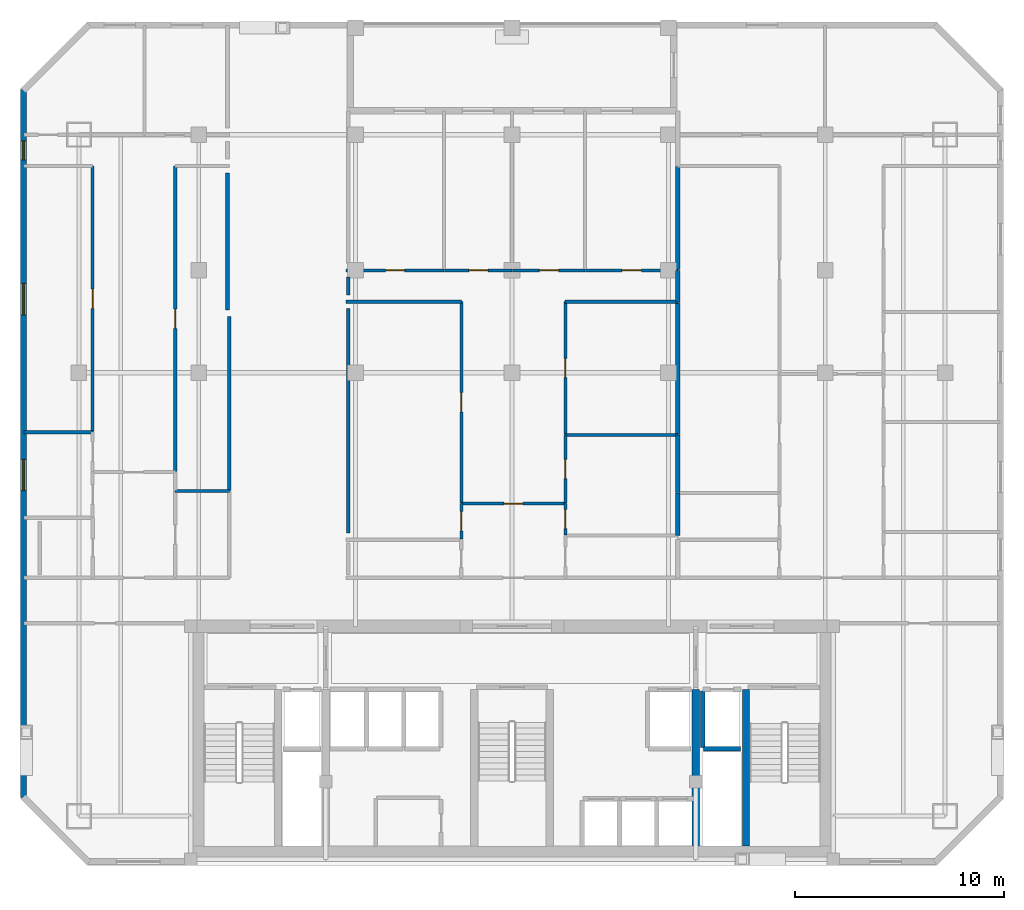
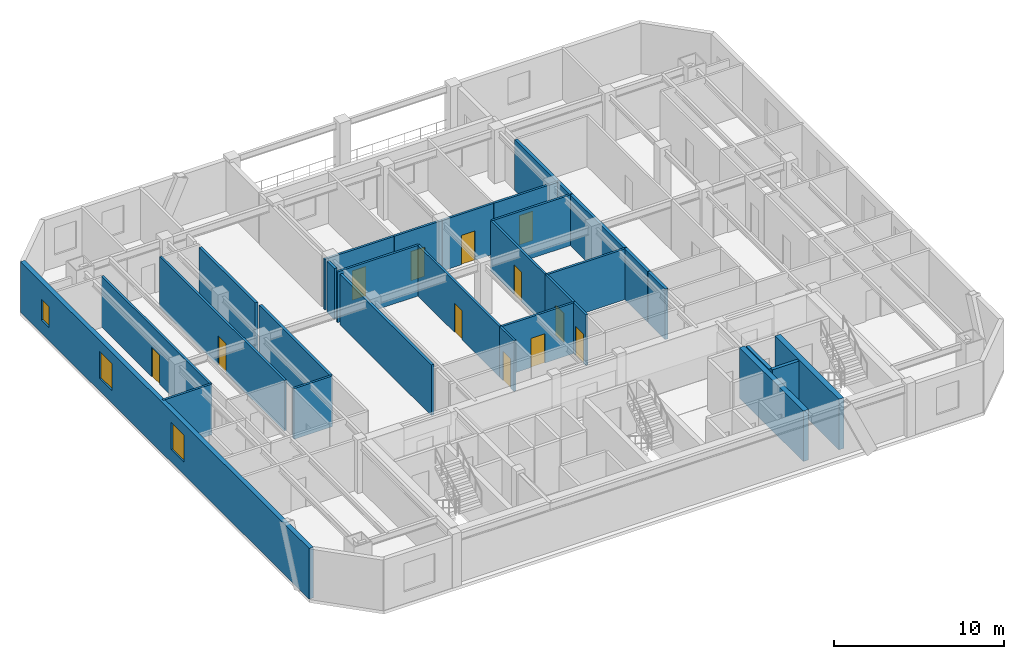
# One storey, part 4 of 8: 31 walls, 12 doors, 3 windows, 15 openings.
"""IFC4 building model written with IfcOpenShell, lengths in metres."""

from ifc_helpers import new_model, si_unit, direction, frame, frame_2d, origin, place, context, subcontext, project, spatial, rectangle, extrude, material, layer, layer_set, type_object, element, fill, save


model = new_model("IFC4")

# Units and contexts
model_context = context("Model", 3, precision=1e-05, world=origin(), true_north=direction((0.0, 1.0)))
body_context = subcontext(model_context, "Body", "Model", "MODEL_VIEW")
ifc_project = project(units=[si_unit("LENGTHUNIT", "METRE"), si_unit("AREAUNIT", "SQUARE_METRE"), si_unit("VOLUMEUNIT", "CUBIC_METRE"), si_unit("PLANEANGLEUNIT", "RADIAN"), si_unit("MASSUNIT", "GRAM", prefix="KILO")], contexts=[model_context])

# Site, building, storey
site_placement = place(None, origin())
site = spatial("IfcSite", under=ifc_project, at=site_placement, CompositionType="ELEMENT")
building_placement = place(site_placement, origin())
building = spatial("IfcBuilding", under=site, at=building_placement, Name="Ventersveld Concourse Tower", CompositionType="ELEMENT")
storey_placement = place(building_placement, frame((0.0, 0.0, 192.60009765625)))
storey = spatial("IfcBuildingStorey", under=building, at=storey_placement, Name="L47", CompositionType="ELEMENT", Elevation=192.60009765625)

# Walls
ifc_material_1 = material(Name="Concrete C50/60", Category="concrete")
ifc_layer_1 = layer(ifc_material_1, 0.35009765625)
ifc_layer_set_1 = layer_set([ifc_layer_1], Name="Concrete C50/60")
wall_type_1 = type_object("IfcWallType", Name="WL-CORE-350U", PredefinedType="SHEAR", material=ifc_layer_set_1)
for number, where, z_axis, x_axis, name in (
    (1, (37.550048828125, 0.919921875, 0.0), (0.0, 0.0, 1.0), (0.0, 1.0, 0.0), "L47 Core Internal Shear Web W-SVL-W"),
    (2, (39.9599609375, 0.919921875, 0.0), (0.0, 0.0, 1.0), (0.0, 1.0, 0.0), "L47 Core Internal Shear Web W-ST2-W"),
):
    element("IfcWall", number, at=place(storey_placement, frame(where, z_axis=z_axis, x_axis=x_axis)), inside=storey, type_object=wall_type_1, Name=name, PredefinedType="SHEAR", context=body_context, shape_type="SweptSolid", body=[
        extrude(rectangle(XDim=7.5, YDim=0.35009765625, at=frame_2d((3.75, 0.0))), origin(), (0.0, 0.0, 1.0), 3.6298828125),
    ])
ifc_material_2 = material(Name="Fire-rated autoclaved aerated masonry blockwork", Category="masonry")
ifc_layer_2 = layer(ifc_material_2, 0.179931640625)
ifc_layer_set_2 = layer_set([ifc_layer_2], Name="Fire-rated autoclaved aerated masonry blockwork")
wall_type_2 = type_object("IfcWallType", Name="WL-CORR-180", PredefinedType="PARTITIONING", material=ifc_layer_set_2)
wall_1_placement = place(storey_placement, frame((15.2099609375, 17.96630859375, 0.0), z_axis=(0.0, 0.0, 1.0), x_axis=(0.0, 1.0, 0.0)))
element("IfcWall", 3, at=wall_1_placement, inside=storey, type_object=wall_type_2, Name="L47 Interior Partition SP-L47-COR-SP-L47-47NW-MEDR1", PredefinedType="PARTITIONING", context=body_context, shape_type="SweptSolid", body=[
    extrude(rectangle(XDim=8.32861328125, YDim=0.179931640625, at=frame_2d((4.164306640625, 0.0))), origin(), (0.0, 0.0, 1.0), 3.6298828125),
])
wall_2_placement = place(storey_placement, frame((15.1201171875, 33.175048828125, 0.0), z_axis=(0.0, 0.0, 1.0), x_axis=(0.0, -1.0, 0.0)))
element("IfcWall", 4, at=wall_2_placement, inside=storey, type_object=wall_type_2, Name="L47 Room Enclosure Wall SP-L47-47NW-MEDR1", PredefinedType="PARTITIONING", context=body_context, shape_type="SweptSolid", body=[
    extrude(rectangle(XDim=6.565185546875, YDim=0.179931640625, at=frame_2d((3.28271484375, 0.0))), origin(), (0.0, 0.0, 1.0), 3.6298828125),
])
wall_3_placement = place(storey_placement, frame((20.89990234375, 27.324951171875, 0.0), z_axis=(0.0, 0.0, 1.0), x_axis=(0.0, 1.0, 0.0)))
element("IfcWall", 5, at=wall_3_placement, inside=storey, type_object=wall_type_2, Name="L47 Room Enclosure Wall SP-L47-47CM-LIV", PredefinedType="PARTITIONING", context=body_context, shape_type="SweptSolid", body=[
    extrude(rectangle(XDim=0.85009765625, YDim=0.179931640625, at=frame_2d((0.425048828125, 0.0))), origin(), (0.0, 0.0, 1.0), 3.6298828125),
])
wall_4_placement = place(storey_placement, frame((20.89990234375, 15.925048828125, 0.0), z_axis=(0.0, 0.0, 1.0), x_axis=(0.0, 1.0, 0.0)))
element("IfcWall", 6, at=wall_4_placement, inside=storey, type_object=wall_type_2, Name="L47 Room Enclosure Wall SP-L47-47CM-MEDL0", PredefinedType="PARTITIONING", context=body_context, shape_type="SweptSolid", body=[
    extrude(rectangle(XDim=10.75, YDim=0.179931640625, at=frame_2d((5.375, 0.0))), origin(), (0.0, 0.0, 1.0), 3.6298828125),
])
ifc_layer_3 = layer(ifc_material_2, 0.199951171875)
ifc_layer_set_3 = layer_set([ifc_layer_3], Name="Fire-rated autoclaved aerated masonry blockwork")
wall_type_3 = type_object("IfcWallType", Name="WL-DEMISE-200", PredefinedType="PARTITIONING", material=ifc_layer_set_3)
wall_5_placement = place(storey_placement, frame((36.68994140625, 15.78955078125, 0.0), z_axis=(0.0, 0.0, 1.0), x_axis=(0.0, 1.0, 0.0)))
element("IfcWall", 7, at=wall_5_placement, inside=storey, type_object=wall_type_3, Name="L47 Interior Partition SP-L47-47CE-PANL0-SP-L47-47CM-DENR", PredefinedType="PARTITIONING", context=body_context, shape_type="SweptSolid", body=[
    extrude(rectangle(XDim=2.04248046875, YDim=0.199951171875, at=frame_2d((1.021240234375, 0.0))), origin(), (0.0, 0.0, 1.0), 3.6298828125),
])
wall_6_placement = place(storey_placement, frame((36.68994140625, 26.9951171875, 0.0), z_axis=(0.0, 0.0, 1.0), x_axis=(0.0, 1.0, 0.0)))
element("IfcWall", 8, at=wall_6_placement, inside=storey, type_object=wall_type_3, Name="L47 Interior Partition SP-L47-47CE-DENL-SP-L47-47CM-LIV", PredefinedType="PARTITIONING", context=body_context, shape_type="SweptSolid", body=[
    extrude(rectangle(XDim=1.509765625, YDim=0.199951171875, at=frame_2d((0.7548828125, 0.0))), origin(), (0.0, 0.0, 1.0), 3.6298828125),
])
wall_7_placement = place(storey_placement, frame((36.68994140625, 17.862060546875, 0.0), z_axis=(0.0, 0.0, 1.0), x_axis=(0.0, 1.0, 0.0)))
element("IfcWall", 9, at=wall_7_placement, inside=storey, type_object=wall_type_3, Name="L47 Interior Partition SP-L47-47CE-DENL-SP-L47-47CM-DENR", PredefinedType="PARTITIONING", context=body_context, shape_type="SweptSolid", body=[
    extrude(rectangle(XDim=2.749755859375, YDim=0.199951171875, at=frame_2d((1.375, 0.0))), origin(), (0.0, 0.0, 1.0), 3.6298828125),
])
wall_8_placement = place(storey_placement, frame((36.68994140625, 20.641845703125, 0.0), z_axis=(0.0, 0.0, 1.0), x_axis=(0.0, 1.0, 0.0)))
element("IfcWall", 10, at=wall_8_placement, inside=storey, type_object=wall_type_3, Name="L47 Interior Partition SP-L47-47CE-DENL-SP-L47-47CM-DENS", PredefinedType="PARTITIONING", context=body_context, shape_type="SweptSolid", body=[
    extrude(rectangle(XDim=6.3232421875, YDim=0.199951171875, at=frame_2d((3.16162109375, 0.0))), origin(), (0.0, 0.0, 1.0), 3.6298828125),
])
wall_9_placement = place(storey_placement, frame((36.68994140625, 28.534912109375, 0.0), z_axis=(0.0, 0.0, 1.0), x_axis=(0.0, 1.0, 0.0)))
element("IfcWall", 11, at=wall_9_placement, inside=storey, type_object=wall_type_3, Name="L47 Interior Partition SP-L47-47CE-DENL-SP-L47-47CM-BR4", PredefinedType="PARTITIONING", context=body_context, shape_type="SweptSolid", body=[
    extrude(rectangle(XDim=4.93017578125, YDim=0.199951171875, at=frame_2d((2.465087890625, 0.0))), origin(), (0.0, 0.0, 1.0), 3.6298828125),
])
ifc_layer_4 = layer(ifc_material_2, 0.219970703125)
ifc_layer_set_4 = layer_set([ifc_layer_4], Name="Fire-rated autoclaved aerated masonry blockwork")
wall_type_4 = type_object("IfcWallType", Name="WL-HOIST-220", PredefinedType="SOLIDWALL", material=ifc_layer_set_4)
wall_10_placement = place(storey_placement, frame((37.919921875, 5.590087890625, 0.0), z_axis=(0.0, 0.0, 1.0), x_axis=(1.0, 0.0, 0.0)))
element("IfcWall", 12, at=wall_10_placement, inside=storey, type_object=wall_type_4, Name="L47 Lift Hoistway Back Wall FFL-02", PredefinedType="SOLIDWALL", context=body_context, shape_type="SweptSolid", body=[
    extrude(rectangle(XDim=1.780029296875, YDim=0.219970703125, at=frame_2d((0.89013671875, 0.0))), origin(), (0.0, 0.0, 1.0), 3.6298828125),
])
wall_11_placement = place(storey_placement, frame((37.8798828125, 5.64990234375, 0.0), z_axis=(0.0, 0.0, 1.0), x_axis=(0.0, 1.0, 0.0)))
element("IfcWall", 13, at=wall_11_placement, inside=storey, type_object=wall_type_4, Name="L47 Lift Hoistway Side Wall FFL-02W", PredefinedType="SOLIDWALL", context=body_context, shape_type="SweptSolid", body=[
    extrude(rectangle(XDim=2.7001953125, YDim=0.219970703125, at=frame_2d((1.35009765625, 0.0))), origin(), (0.0, 0.0, 1.0), 3.6298828125),
])

# Wall, opening, door
ifc_material_3 = material(Name="Autoclaved aerated masonry blockwork", Category="masonry")
ifc_layer_5 = layer(ifc_material_3, 0.14990234375)
ifc_layer_set_5 = layer_set([ifc_layer_5], Name="Autoclaved aerated masonry blockwork")
wall_type_5 = type_object("IfcWallType", Name="WL-INT-150", PredefinedType="PARTITIONING", material=ifc_layer_set_5)
wall_12_placement = place(storey_placement, frame((8.65869140625, 20.78076171875, 0.0), z_axis=(0.0, 0.0, 1.0), x_axis=(0.0, 1.0, 0.0)))
wall_12 = element("IfcWall", 14, at=wall_12_placement, inside=storey, type_object=wall_type_5, Name="L47 Interior Partition SP-L47-47NW-LIV-SP-L47-47NW-DENL", PredefinedType="PARTITIONING", context=body_context, shape_type="SweptSolid", body=[
    extrude(rectangle(XDim=12.72412109375, YDim=0.14990234375, at=frame_2d((6.362060546875, 0.0))), origin(), (0.0, 0.0, 1.0), 3.6298828125),
])
opening_1_placement = place(wall_12_placement, frame((5.902099609375, 0.0, 0.0)))
opening_1 = element("IfcOpeningElement", 15, at=opening_1_placement, cuts=wall_12, Name="Opening ID1", PredefinedType="OPENING", context=body_context, shape_type="SweptSolid", body=[
    extrude(rectangle(XDim=0.919921875, YDim=2.10009765625, at=frame_2d((0.4599609375, 1.050048828125))), frame((0.0, 0.0849609375, 0.0), z_axis=(0.0, -1.0, 0.0), x_axis=(1.0, 0.0, 0.0)), (0.0, 0.0, 1.0), 0.169921875),
])
ifc_material_4 = material(Name="Solid-core hardwood veneer timber", Category="wood")
door_type = type_object("IfcDoorType", Name="DR-ROOM-092", OperationType="NOTDEFINED", PredefinedType="DOOR", material=ifc_material_4)
door_1_placement = place(opening_1_placement, origin())
door_1 = element("IfcDoor", 16, at=door_1_placement, inside=storey, type_object=door_type, Name="L47 Interior Door SP-L47-47NW-LIV to SP-L47-47NW-DENL (D-L47-2306)", OperationType="SINGLE_SWING_RIGHT", OverallHeight=2.10009765625, OverallWidth=0.919921875, PredefinedType="DOOR", context=body_context, shape_type="SweptSolid", body=[
    extrude(rectangle(XDim=0.919921875, YDim=2.10009765625, at=frame_2d((0.4599609375, 1.050048828125))), frame((0.0, 0.02490234375, 0.0), z_axis=(0.0, -1.0, 0.0), x_axis=(1.0, 0.0, 0.0)), (0.0, 0.0, 1.0), 0.050048828125),
])
fill(opening_1, door_1)

wall_13_placement = place(storey_placement, frame((12.61865234375, 18.868408203125, 0.0), z_axis=(0.0, 0.0, 1.0), x_axis=(0.0, 1.0, 0.0)))
wall_13 = element("IfcWall", 17, at=wall_13_placement, inside=storey, type_object=wall_type_5, Name="L47 Interior Partition SP-L47-47NW-LIV-SP-L47-47NW-MEDR1", PredefinedType="PARTITIONING", context=body_context, shape_type="SweptSolid", body=[
    extrude(rectangle(XDim=14.636474609375, YDim=0.14990234375, at=frame_2d((7.318359375, 0.0))), origin(), (0.0, 0.0, 1.0), 3.6298828125),
])
opening_2_placement = place(wall_13_placement, frame((6.8583984375, 0.0, 0.0)))
opening_2 = element("IfcOpeningElement", 18, at=opening_2_placement, cuts=wall_13, Name="Opening ID1", PredefinedType="OPENING", context=body_context, shape_type="SweptSolid", body=[
    extrude(rectangle(XDim=0.919921875, YDim=2.10009765625, at=frame_2d((0.4599609375, 1.050048828125))), frame((0.0, 0.0849609375, 0.0), z_axis=(0.0, -1.0, 0.0), x_axis=(1.0, 0.0, 0.0)), (0.0, 0.0, 1.0), 0.169921875),
])
door_2_placement = place(opening_2_placement, origin())
door_2 = element("IfcDoor", 19, at=door_2_placement, inside=storey, type_object=door_type, Name="L47 Interior Door SP-L47-47NW-LIV to SP-L47-47NW-MEDR1 (D-L47-2307)", OperationType="SINGLE_SWING_LEFT", OverallHeight=2.10009765625, OverallWidth=0.919921875, PredefinedType="DOOR", context=body_context, shape_type="SweptSolid", body=[
    extrude(rectangle(XDim=0.919921875, YDim=2.10009765625, at=frame_2d((0.4599609375, 1.050048828125))), frame((0.0, 0.02490234375, 0.0), z_axis=(0.0, -1.0, 0.0), x_axis=(1.0, 0.0, 0.0)), (0.0, 0.0, 1.0), 0.050048828125),
])
fill(opening_2, door_2)

# Walls
wall_14_placement = place(storey_placement, frame((5.37255859375, 20.74560546875, 0.0), z_axis=(0.0, 0.0, 1.0), x_axis=(1.0, 0.0, 0.0)))
element("IfcWall", 20, at=wall_14_placement, inside=storey, type_object=wall_type_5, Name="L47 Interior Partition SP-L47-47NW-PANL0-SP-L47-47NW-DENL", PredefinedType="PARTITIONING", context=body_context, shape_type="SweptSolid", body=[
    extrude(rectangle(XDim=3.291259765625, YDim=0.14990234375, at=frame_2d((1.6455078125, 0.0))), origin(), (0.0, 0.0, 1.0), 3.6298828125),
])
wall_15_placement = place(storey_placement, frame((12.61376953125, 17.931396484375, 0.0), z_axis=(0.0, 0.0, 1.0), x_axis=(1.0, 0.0, 0.0)))
element("IfcWall", 21, at=wall_15_placement, inside=storey, type_object=wall_type_5, Name="L47 Interior Partition SP-L47-47NW-KIT-SP-L47-47NW-MEDR1", PredefinedType="PARTITIONING", context=body_context, shape_type="SweptSolid", body=[
    extrude(rectangle(XDim=2.601318359375, YDim=0.14990234375, at=frame_2d((1.30078125, 0.0))), origin(), (0.0, 0.0, 1.0), 3.6298828125),
])

# Wall, opening, door
wall_16_placement = place(storey_placement, frame((26.3203125, 17.330810546875, 0.0), z_axis=(0.0, 0.0, 1.0), x_axis=(1.0, 0.0, 0.0)))
wall_16 = element("IfcWall", 22, at=wall_16_placement, inside=storey, type_object=wall_type_5, Name="L47 Interior Partition SP-L47-47CM-FOY-SP-L47-47CM-LIV", PredefinedType="PARTITIONING", context=body_context, shape_type="SweptSolid", body=[
    extrude(rectangle(XDim=4.989990234375, YDim=0.14990234375, at=frame_2d((2.4951171875, 0.0))), origin(), (0.0, 0.0, 1.0), 3.6298828125),
])
opening_3_placement = place(wall_16_placement, frame((2.034912109375, 0.0, 0.0)))
opening_3 = element("IfcOpeningElement", 23, at=opening_3_placement, cuts=wall_16, Name="Opening ID1", PredefinedType="OPENING", context=body_context, shape_type="SweptSolid", body=[
    extrude(rectangle(XDim=0.919921875, YDim=2.10009765625, at=frame_2d((0.4599609375, 1.050048828125))), frame((0.0, 0.0849609375, 0.0), z_axis=(0.0, -1.0, 0.0), x_axis=(1.0, 0.0, 0.0)), (0.0, 0.0, 1.0), 0.169921875),
])
door_3_placement = place(opening_3_placement, origin())
door_3 = element("IfcDoor", 24, at=door_3_placement, inside=storey, type_object=door_type, Name="L47 Interior Door SP-L47-47CM-FOY to SP-L47-47CM-LIV (D-L47-2322)", OperationType="SINGLE_SWING_RIGHT", OverallHeight=2.10009765625, OverallWidth=0.919921875, PredefinedType="DOOR", context=body_context, shape_type="SweptSolid", body=[
    extrude(rectangle(XDim=0.919921875, YDim=2.10009765625, at=frame_2d((0.4599609375, 1.050048828125))), frame((0.0, 0.02490234375, 0.0), z_axis=(0.0, -1.0, 0.0), x_axis=(1.0, 0.0, 0.0)), (0.0, 0.0, 1.0), 0.050048828125),
])
fill(opening_3, door_3)

wall_17_placement = place(storey_placement, frame((26.3251953125, 15.635009765625, 0.0), z_axis=(0.0, 0.0, 1.0), x_axis=(0.0, 1.0, 0.0)))
wall_17 = element("IfcWall", 25, at=wall_17_placement, inside=storey, type_object=wall_type_5, Name="L47 Interior Partition SP-L47-47CM-FOY-SP-L47-47CM-MEDL0", PredefinedType="PARTITIONING", context=body_context, shape_type="SweptSolid", body=[
    extrude(rectangle(XDim=1.70068359375, YDim=0.14990234375, at=frame_2d((0.850341796875, 0.0))), origin(), (0.0, 0.0, 1.0), 3.6298828125),
])
opening_4_placement = place(wall_17_placement, frame((0.390380859375, 0.0, 0.0)))
opening_4 = element("IfcOpeningElement", 26, at=opening_4_placement, cuts=wall_17, Name="Opening ID1", PredefinedType="OPENING", context=body_context, shape_type="SweptSolid", body=[
    extrude(rectangle(XDim=0.919921875, YDim=2.10009765625, at=frame_2d((0.4599609375, 1.050048828125))), frame((0.0, 0.0849609375, 0.0), z_axis=(0.0, -1.0, 0.0), x_axis=(1.0, 0.0, 0.0)), (0.0, 0.0, 1.0), 0.169921875),
])
door_4_placement = place(opening_4_placement, origin())
door_4 = element("IfcDoor", 27, at=door_4_placement, inside=storey, type_object=door_type, Name="L47 Interior Door SP-L47-47CM-FOY to SP-L47-47CM-MEDL0 (D-L47-2324)", OperationType="SINGLE_SWING_RIGHT", OverallHeight=2.10009765625, OverallWidth=0.919921875, PredefinedType="DOOR", context=body_context, shape_type="SweptSolid", body=[
    extrude(rectangle(XDim=0.919921875, YDim=2.10009765625, at=frame_2d((0.4599609375, 1.050048828125))), frame((0.0, 0.02490234375, 0.0), z_axis=(0.0, -1.0, 0.0), x_axis=(1.0, 0.0, 0.0)), (0.0, 0.0, 1.0), 0.050048828125),
])
fill(opening_4, door_4)

wall_18_placement = place(storey_placement, frame((31.305419921875, 15.82958984375, 0.0), z_axis=(0.0, 0.0, 1.0), x_axis=(0.0, 1.0, 0.0)))
wall_18 = element("IfcWall", 28, at=wall_18_placement, inside=storey, type_object=wall_type_5, Name="L47 Interior Partition SP-L47-47CM-FOY-SP-L47-47CM-DENR", PredefinedType="PARTITIONING", context=body_context, shape_type="SweptSolid", body=[
    extrude(rectangle(XDim=1.506103515625, YDim=0.14990234375, at=frame_2d((0.7529296875, 0.0))), origin(), (0.0, 0.0, 1.0), 3.6298828125),
])
opening_5_placement = place(wall_18_placement, frame((0.293212890625, 0.0, 0.0)))
opening_5 = element("IfcOpeningElement", 29, at=opening_5_placement, cuts=wall_18, Name="Opening ID1", PredefinedType="OPENING", context=body_context, shape_type="SweptSolid", body=[
    extrude(rectangle(XDim=0.919921875, YDim=2.10009765625, at=frame_2d((0.4599609375, 1.050048828125))), frame((0.0, 0.0849609375, 0.0), z_axis=(0.0, -1.0, 0.0), x_axis=(1.0, 0.0, 0.0)), (0.0, 0.0, 1.0), 0.169921875),
])
door_5_placement = place(opening_5_placement, origin())
door_5 = element("IfcDoor", 30, at=door_5_placement, inside=storey, type_object=door_type, Name="L47 Interior Door SP-L47-47CM-FOY to SP-L47-47CM-DENR (D-L47-2326)", OperationType="SINGLE_SWING_RIGHT", OverallHeight=2.10009765625, OverallWidth=0.919921875, PredefinedType="DOOR", context=body_context, shape_type="SweptSolid", body=[
    extrude(rectangle(XDim=0.919921875, YDim=2.10009765625, at=frame_2d((0.4599609375, 1.050048828125))), frame((0.0, 0.02490234375, 0.0), z_axis=(0.0, -1.0, 0.0), x_axis=(1.0, 0.0, 0.0)), (0.0, 0.0, 1.0), 0.050048828125),
])
fill(opening_5, door_5)

wall_19_placement = place(storey_placement, frame((26.3251953125, 17.36572265625, 0.0), z_axis=(0.0, 0.0, 1.0), x_axis=(0.0, 1.0, 0.0)))
wall_19 = element("IfcWall", 31, at=wall_19_placement, inside=storey, type_object=wall_type_5, Name="L47 Interior Partition SP-L47-47CM-LIV-SP-L47-47CM-MEDL0", PredefinedType="PARTITIONING", context=body_context, shape_type="SweptSolid", body=[
    extrude(rectangle(XDim=9.63916015625, YDim=0.14990234375, at=frame_2d((4.819580078125, 0.0))), origin(), (0.0, 0.0, 1.0), 3.6298828125),
])
opening_6_placement = place(wall_19_placement, frame((4.359619140625, 0.0, 0.0)))
opening_6 = element("IfcOpeningElement", 32, at=opening_6_placement, cuts=wall_19, Name="Opening ID1", PredefinedType="OPENING", context=body_context, shape_type="SweptSolid", body=[
    extrude(rectangle(XDim=0.919921875, YDim=2.10009765625, at=frame_2d((0.4599609375, 1.050048828125))), frame((0.0, 0.0849609375, 0.0), z_axis=(0.0, -1.0, 0.0), x_axis=(1.0, 0.0, 0.0)), (0.0, 0.0, 1.0), 0.169921875),
])
door_6_placement = place(opening_6_placement, origin())
door_6 = element("IfcDoor", 33, at=door_6_placement, inside=storey, type_object=door_type, Name="L47 Interior Door SP-L47-47CM-LIV to SP-L47-47CM-MEDL0 (D-L47-2327)", OperationType="SINGLE_SWING_LEFT", OverallHeight=2.10009765625, OverallWidth=0.919921875, PredefinedType="DOOR", context=body_context, shape_type="SweptSolid", body=[
    extrude(rectangle(XDim=0.919921875, YDim=2.10009765625, at=frame_2d((0.4599609375, 1.050048828125))), frame((0.0, 0.02490234375, 0.0), z_axis=(0.0, -1.0, 0.0), x_axis=(1.0, 0.0, 0.0)), (0.0, 0.0, 1.0), 0.050048828125),
])
fill(opening_6, door_6)

# Wall
wall_20_placement = place(storey_placement, frame((20.804931640625, 27.0, 0.0), z_axis=(0.0, 0.0, 1.0), x_axis=(1.0, 0.0, 0.0)))
element("IfcWall", 34, at=wall_20_placement, inside=storey, type_object=wall_type_5, Name="L47 Interior Partition SP-L47-47CM-LIV-SP-L47-47CM-MEDL0", PredefinedType="PARTITIONING", context=body_context, shape_type="SweptSolid", body=[
    extrude(rectangle(XDim=5.525390625, YDim=0.14990234375, at=frame_2d((2.7626953125, 0.0))), origin(), (0.0, 0.0, 1.0), 3.6298828125),
])

# Wall, opening, door
wall_21_placement = place(storey_placement, frame((31.305419921875, 17.36572265625, 0.0), z_axis=(0.0, 0.0, 1.0), x_axis=(0.0, 1.0, 0.0)))
wall_21 = element("IfcWall", 35, at=wall_21_placement, inside=storey, type_object=wall_type_5, Name="L47 Interior Partition SP-L47-47CM-LIV-SP-L47-47CM-DENR", PredefinedType="PARTITIONING", context=body_context, shape_type="SweptSolid", body=[
    extrude(rectangle(XDim=3.24609375, YDim=0.14990234375, at=frame_2d((1.623046875, 0.0))), origin(), (0.0, 0.0, 1.0), 3.6298828125),
])
opening_7_placement = place(wall_21_placement, frame((1.1630859375, 0.0, 0.0)))
opening_7 = element("IfcOpeningElement", 36, at=opening_7_placement, cuts=wall_21, Name="Opening ID1", PredefinedType="OPENING", context=body_context, shape_type="SweptSolid", body=[
    extrude(rectangle(XDim=0.919921875, YDim=2.10009765625, at=frame_2d((0.4599609375, 1.050048828125))), frame((0.0, 0.0849609375, 0.0), z_axis=(0.0, -1.0, 0.0), x_axis=(1.0, 0.0, 0.0)), (0.0, 0.0, 1.0), 0.169921875),
])
door_7_placement = place(opening_7_placement, origin())
door_7 = element("IfcDoor", 37, at=door_7_placement, inside=storey, type_object=door_type, Name="L47 Interior Door SP-L47-47CM-LIV to SP-L47-47CM-DENR (D-L47-2328)", OperationType="SINGLE_SWING_RIGHT", OverallHeight=2.10009765625, OverallWidth=0.919921875, PredefinedType="DOOR", context=body_context, shape_type="SweptSolid", body=[
    extrude(rectangle(XDim=0.919921875, YDim=2.10009765625, at=frame_2d((0.4599609375, 1.050048828125))), frame((0.0, 0.02490234375, 0.0), z_axis=(0.0, -1.0, 0.0), x_axis=(1.0, 0.0, 0.0)), (0.0, 0.0, 1.0), 0.050048828125),
])
fill(opening_7, door_7)

wall_22_placement = place(storey_placement, frame((31.305419921875, 20.641845703125, 0.0), z_axis=(0.0, 0.0, 1.0), x_axis=(0.0, 1.0, 0.0)))
wall_22 = element("IfcWall", 38, at=wall_22_placement, inside=storey, type_object=wall_type_5, Name="L47 Interior Partition SP-L47-47CM-LIV-SP-L47-47CM-DENS", PredefinedType="PARTITIONING", context=body_context, shape_type="SweptSolid", body=[
    extrude(rectangle(XDim=6.363037109375, YDim=0.14990234375, at=frame_2d((3.181640625, 0.0))), origin(), (0.0, 0.0, 1.0), 3.6298828125),
])
opening_8_placement = place(wall_22_placement, frame((2.721435546875, 0.0, 0.0)))
opening_8 = element("IfcOpeningElement", 39, at=opening_8_placement, cuts=wall_22, Name="Opening ID1", PredefinedType="OPENING", context=body_context, shape_type="SweptSolid", body=[
    extrude(rectangle(XDim=0.919921875, YDim=2.10009765625, at=frame_2d((0.4599609375, 1.050048828125))), frame((0.0, 0.0849609375, 0.0), z_axis=(0.0, -1.0, 0.0), x_axis=(1.0, 0.0, 0.0)), (0.0, 0.0, 1.0), 0.169921875),
])
door_8_placement = place(opening_8_placement, origin())
door_8 = element("IfcDoor", 40, at=door_8_placement, inside=storey, type_object=door_type, Name="L47 Interior Door SP-L47-47CM-LIV to SP-L47-47CM-DENS (D-L47-2329)", OperationType="SINGLE_SWING_LEFT", OverallHeight=2.10009765625, OverallWidth=0.919921875, PredefinedType="DOOR", context=body_context, shape_type="SweptSolid", body=[
    extrude(rectangle(XDim=0.919921875, YDim=2.10009765625, at=frame_2d((0.4599609375, 1.050048828125))), frame((0.0, 0.02490234375, 0.0), z_axis=(0.0, -1.0, 0.0), x_axis=(1.0, 0.0, 0.0)), (0.0, 0.0, 1.0), 0.050048828125),
])
fill(opening_8, door_8)

# Wall
wall_23_placement = place(storey_placement, frame((31.30029296875, 27.0, 0.0), z_axis=(0.0, 0.0, 1.0), x_axis=(1.0, 0.0, 0.0)))
element("IfcWall", 41, at=wall_23_placement, inside=storey, type_object=wall_type_5, Name="L47 Interior Partition SP-L47-47CM-LIV-SP-L47-47CM-DENS", PredefinedType="PARTITIONING", context=body_context, shape_type="SweptSolid", body=[
    extrude(rectangle(XDim=5.394775390625, YDim=0.14990234375, at=frame_2d((2.697265625, 0.0))), origin(), (0.0, 0.0, 1.0), 3.6298828125),
])

# Wall, opening, door
wall_24_placement = place(storey_placement, frame((20.804931640625, 28.5, 0.0), z_axis=(0.0, 0.0, 1.0), x_axis=(1.0, 0.0, 0.0)))
wall_24 = element("IfcWall", 42, at=wall_24_placement, inside=storey, type_object=wall_type_5, Name="L47 Interior Partition SP-L47-47CM-LIV-SP-L47-47CM-BR1", PredefinedType="PARTITIONING", context=body_context, shape_type="SweptSolid", body=[
    extrude(rectangle(XDim=4.690673828125, YDim=0.14990234375, at=frame_2d((2.34521484375, 0.0))), origin(), (0.0, 0.0, 1.0), 3.6298828125),
])
opening_9_placement = place(wall_24_placement, frame((1.88525390625, 0.0, 0.0)))
opening_9 = element("IfcOpeningElement", 43, at=opening_9_placement, cuts=wall_24, Name="Opening ID1", PredefinedType="OPENING", context=body_context, shape_type="SweptSolid", body=[
    extrude(rectangle(XDim=0.919921875, YDim=2.10009765625, at=frame_2d((0.4599609375, 1.050048828125))), frame((0.0, 0.0849609375, 0.0), z_axis=(0.0, -1.0, 0.0), x_axis=(1.0, 0.0, 0.0)), (0.0, 0.0, 1.0), 0.169921875),
])
door_9_placement = place(opening_9_placement, origin())
door_9 = element("IfcDoor", 44, at=door_9_placement, inside=storey, type_object=door_type, Name="L47 Interior Door SP-L47-47CM-LIV to SP-L47-47CM-BR1 (D-L47-2330)", OperationType="SINGLE_SWING_RIGHT", OverallHeight=2.10009765625, OverallWidth=0.919921875, PredefinedType="DOOR", context=body_context, shape_type="SweptSolid", body=[
    extrude(rectangle(XDim=0.919921875, YDim=2.10009765625, at=frame_2d((0.4599609375, 1.050048828125))), frame((0.0, 0.02490234375, 0.0), z_axis=(0.0, -1.0, 0.0), x_axis=(1.0, 0.0, 0.0)), (0.0, 0.0, 1.0), 0.050048828125),
])
fill(opening_9, door_9)

wall_25_placement = place(storey_placement, frame((25.525634765625, 28.5, 0.0), z_axis=(0.0, 0.0, 1.0), x_axis=(1.0, 0.0, 0.0)))
wall_25 = element("IfcWall", 45, at=wall_25_placement, inside=storey, type_object=wall_type_5, Name="L47 Interior Partition SP-L47-47CM-LIV-SP-L47-47CM-BR2", PredefinedType="PARTITIONING", context=body_context, shape_type="SweptSolid", body=[
    extrude(rectangle(XDim=3.229248046875, YDim=0.14990234375, at=frame_2d((1.61474609375, 0.0))), origin(), (0.0, 0.0, 1.0), 3.6298828125),
])
opening_10_placement = place(wall_25_placement, frame((1.15478515625, 0.0, 0.0)))
opening_10 = element("IfcOpeningElement", 46, at=opening_10_placement, cuts=wall_25, Name="Opening ID1", PredefinedType="OPENING", context=body_context, shape_type="SweptSolid", body=[
    extrude(rectangle(XDim=0.919921875, YDim=2.10009765625, at=frame_2d((0.4599609375, 1.050048828125))), frame((0.0, 0.0849609375, 0.0), z_axis=(0.0, -1.0, 0.0), x_axis=(1.0, 0.0, 0.0)), (0.0, 0.0, 1.0), 0.169921875),
])
door_10_placement = place(opening_10_placement, origin())
door_10 = element("IfcDoor", 47, at=door_10_placement, inside=storey, type_object=door_type, Name="L47 Interior Door SP-L47-47CM-LIV to SP-L47-47CM-BR2 (D-L47-2331)", OperationType="SINGLE_SWING_LEFT", OverallHeight=2.10009765625, OverallWidth=0.919921875, PredefinedType="DOOR", context=body_context, shape_type="SweptSolid", body=[
    extrude(rectangle(XDim=0.919921875, YDim=2.10009765625, at=frame_2d((0.4599609375, 1.050048828125))), frame((0.0, 0.02490234375, 0.0), z_axis=(0.0, -1.0, 0.0), x_axis=(1.0, 0.0, 0.0)), (0.0, 0.0, 1.0), 0.050048828125),
])
fill(opening_10, door_10)

wall_26_placement = place(storey_placement, frame((28.784912109375, 28.5, 0.0), z_axis=(0.0, 0.0, 1.0), x_axis=(1.0, 0.0, 0.0)))
wall_26 = element("IfcWall", 48, at=wall_26_placement, inside=storey, type_object=wall_type_5, Name="L47 Interior Partition SP-L47-47CM-LIV-SP-L47-47CM-BR3", PredefinedType="PARTITIONING", context=body_context, shape_type="SweptSolid", body=[
    extrude(rectangle(XDim=3.46630859375, YDim=0.14990234375, at=frame_2d((1.733154296875, 0.0))), origin(), (0.0, 0.0, 1.0), 3.6298828125),
])
opening_11_placement = place(wall_26_placement, frame((1.273193359375, 0.0, 0.0)))
opening_11 = element("IfcOpeningElement", 49, at=opening_11_placement, cuts=wall_26, Name="Opening ID1", PredefinedType="OPENING", context=body_context, shape_type="SweptSolid", body=[
    extrude(rectangle(XDim=0.919921875, YDim=2.10009765625, at=frame_2d((0.4599609375, 1.050048828125))), frame((0.0, 0.0849609375, 0.0), z_axis=(0.0, -1.0, 0.0), x_axis=(1.0, 0.0, 0.0)), (0.0, 0.0, 1.0), 0.169921875),
])
door_11_placement = place(opening_11_placement, origin())
door_11 = element("IfcDoor", 50, at=door_11_placement, inside=storey, type_object=door_type, Name="L47 Interior Door SP-L47-47CM-LIV to SP-L47-47CM-BR3 (D-L47-2332)", OperationType="SINGLE_SWING_RIGHT", OverallHeight=2.10009765625, OverallWidth=0.919921875, PredefinedType="DOOR", context=body_context, shape_type="SweptSolid", body=[
    extrude(rectangle(XDim=0.919921875, YDim=2.10009765625, at=frame_2d((0.4599609375, 1.050048828125))), frame((0.0, 0.02490234375, 0.0), z_axis=(0.0, -1.0, 0.0), x_axis=(1.0, 0.0, 0.0)), (0.0, 0.0, 1.0), 0.050048828125),
])
fill(opening_11, door_11)

wall_27_placement = place(storey_placement, frame((32.28125, 28.5, 0.0), z_axis=(0.0, 0.0, 1.0), x_axis=(1.0, 0.0, 0.0)))
wall_27 = element("IfcWall", 51, at=wall_27_placement, inside=storey, type_object=wall_type_5, Name="L47 Interior Partition SP-L47-47CM-LIV-SP-L47-47CM-BR4", PredefinedType="PARTITIONING", context=body_context, shape_type="SweptSolid", body=[
    extrude(rectangle(XDim=4.413818359375, YDim=0.14990234375, at=frame_2d((2.20703125, 0.0))), origin(), (0.0, 0.0, 1.0), 3.6298828125),
])
opening_12_placement = place(wall_27_placement, frame((1.746826171875, 0.0, 0.0)))
opening_12 = element("IfcOpeningElement", 52, at=opening_12_placement, cuts=wall_27, Name="Opening ID1", PredefinedType="OPENING", context=body_context, shape_type="SweptSolid", body=[
    extrude(rectangle(XDim=0.919921875, YDim=2.10009765625, at=frame_2d((0.4599609375, 1.050048828125))), frame((0.0, 0.0849609375, 0.0), z_axis=(0.0, -1.0, 0.0), x_axis=(1.0, 0.0, 0.0)), (0.0, 0.0, 1.0), 0.169921875),
])
door_12_placement = place(opening_12_placement, origin())
door_12 = element("IfcDoor", 53, at=door_12_placement, inside=storey, type_object=door_type, Name="L47 Interior Door SP-L47-47CM-LIV to SP-L47-47CM-BR4 (D-L47-2333)", OperationType="SINGLE_SWING_LEFT", OverallHeight=2.10009765625, OverallWidth=0.919921875, PredefinedType="DOOR", context=body_context, shape_type="SweptSolid", body=[
    extrude(rectangle(XDim=0.919921875, YDim=2.10009765625, at=frame_2d((0.4599609375, 1.050048828125))), frame((0.0, 0.02490234375, 0.0), z_axis=(0.0, -1.0, 0.0), x_axis=(1.0, 0.0, 0.0)), (0.0, 0.0, 1.0), 0.050048828125),
])
fill(opening_12, door_12)

# Wall
wall_28_placement = place(storey_placement, frame((31.30029296875, 20.60693359375, 0.0), z_axis=(0.0, 0.0, 1.0), x_axis=(1.0, 0.0, 0.0)))
element("IfcWall", 54, at=wall_28_placement, inside=storey, type_object=wall_type_5, Name="L47 Interior Partition SP-L47-47CM-DENR-SP-L47-47CM-DENS", PredefinedType="PARTITIONING", context=body_context, shape_type="SweptSolid", body=[
    extrude(rectangle(XDim=5.394775390625, YDim=0.14990234375, at=frame_2d((2.697265625, 0.0))), origin(), (0.0, 0.0, 1.0), 3.6298828125),
])

# Wall, openings, windows
ifc_material_5 = material(Name="Precast concrete C45/55", Category="concrete")
ifc_layer_6 = layer(ifc_material_5, 0.300048828125)
ifc_layer_set_6 = layer_set([ifc_layer_6], Name="Precast concrete C45/55")
wall_type_6 = type_object("IfcWallType", Name="WL-PREC-300", PredefinedType="SOLIDWALL", material=ifc_layer_set_6)
wall_29_placement = place(storey_placement, frame((5.35009765625, 37.159912109375, 0.0), z_axis=(0.0, 0.0, 1.0), x_axis=(0.0, -1.0, 0.0)))
wall_29 = element("IfcWall", 55, at=wall_29_placement, inside=storey, type_object=wall_type_6, Name="L47 Highveld Precast Facade Wall E11", PredefinedType="SOLIDWALL", context=body_context, shape_type="SweptSolid", body=[
    extrude(rectangle(XDim=33.919921875, YDim=0.300048828125, at=frame_2d((16.9599609375, 0.0))), origin(), (0.0, 0.0, 1.0), 3.6298828125),
])
opening_13_placement = place(wall_29_placement, frame((2.4599609375, 0.0, 0.949951171875)))
opening_13 = element("IfcOpeningElement", 56, at=opening_13_placement, cuts=wall_29, Name="Opening W4", PredefinedType="OPENING", context=body_context, shape_type="SweptSolid", body=[
    extrude(rectangle(XDim=0.89990234375, YDim=1.5, at=frame_2d((0.449951171875, 0.75))), frame((0.0, 0.16015625, 0.0), z_axis=(0.0, -1.0, 0.0), x_axis=(1.0, 0.0, 0.0)), (0.0, 0.0, 1.0), 0.320068359375),
])
opening_14_placement = place(wall_29_placement, frame((17.714599609375, 0.0, 0.89990234375)))
opening_14 = element("IfcOpeningElement", 57, at=opening_14_placement, cuts=wall_29, Name="Opening W1", PredefinedType="OPENING", context=body_context, shape_type="SweptSolid", body=[
    extrude(rectangle(XDim=1.5, YDim=1.949951171875, at=frame_2d((0.75, 0.97509765625))), frame((0.0, 0.16015625, 0.0), z_axis=(0.0, -1.0, 0.0), x_axis=(1.0, 0.0, 0.0)), (0.0, 0.0, 1.0), 0.320068359375),
])
opening_15_placement = place(wall_29_placement, frame((9.287109375, 0.0, 0.89990234375)))
opening_15 = element("IfcOpeningElement", 58, at=opening_15_placement, cuts=wall_29, Name="Opening W1", PredefinedType="OPENING", context=body_context, shape_type="SweptSolid", body=[
    extrude(rectangle(XDim=1.5, YDim=1.949951171875, at=frame_2d((0.75, 0.97509765625))), frame((0.0, 0.16015625, 0.0), z_axis=(0.0, -1.0, 0.0), x_axis=(1.0, 0.0, 0.0)), (0.0, 0.0, 1.0), 0.320068359375),
])
ifc_material_6 = material(Name="Tempered acoustic Low-E IGU", Category="glass")
window_type_1 = type_object("IfcWindowType", Name="WIN-090x150", PartitioningType="SINGLE_PANEL", PredefinedType="WINDOW", material=ifc_material_6)
window_1_placement = place(opening_13_placement, origin())
window_1 = element("IfcWindow", 59, at=window_1_placement, inside=storey, type_object=window_type_1, Name="L47 Punched Low-E Window W-0653", OverallHeight=1.5, OverallWidth=0.89990234375, PartitioningType="SINGLE_PANEL", PredefinedType="WINDOW", context=body_context, shape_type="SweptSolid", body=[
    extrude(rectangle(XDim=0.89990234375, YDim=1.5, at=frame_2d((0.449951171875, 0.75))), frame((0.0, 0.030029296875, 0.0), z_axis=(0.0, -1.0, 0.0), x_axis=(1.0, 0.0, 0.0)), (0.0, 0.0, 1.0), 0.06005859375),
])
fill(opening_13, window_1)
window_type_2 = type_object("IfcWindowType", Name="WIN-150x210", PartitioningType="SINGLE_PANEL", PredefinedType="WINDOW", material=ifc_material_6)
window_2_placement = place(opening_14_placement, origin())
window_2 = element("IfcWindow", 60, at=window_2_placement, inside=storey, type_object=window_type_2, Name="L47 Punched Low-E Window W-0654", OverallHeight=1.949951171875, OverallWidth=1.5, PartitioningType="SINGLE_PANEL", PredefinedType="WINDOW", context=body_context, shape_type="SweptSolid", body=[
    extrude(rectangle(XDim=1.5, YDim=1.949951171875, at=frame_2d((0.75, 0.97509765625))), frame((0.0, 0.030029296875, 0.0), z_axis=(0.0, -1.0, 0.0), x_axis=(1.0, 0.0, 0.0)), (0.0, 0.0, 1.0), 0.06005859375),
])
fill(opening_14, window_2)
window_3_placement = place(opening_15_placement, origin())
window_3 = element("IfcWindow", 61, at=window_3_placement, inside=storey, type_object=window_type_2, Name="L47 Punched Low-E Window W-0655", OverallHeight=1.949951171875, OverallWidth=1.5, PartitioningType="SINGLE_PANEL", PredefinedType="WINDOW", context=body_context, shape_type="SweptSolid", body=[
    extrude(rectangle(XDim=1.5, YDim=1.949951171875, at=frame_2d((0.75, 0.97509765625))), frame((0.0, 0.030029296875, 0.0), z_axis=(0.0, -1.0, 0.0), x_axis=(1.0, 0.0, 0.0)), (0.0, 0.0, 1.0), 0.06005859375),
])
fill(opening_15, window_3)

save(model, "model.ifc")
